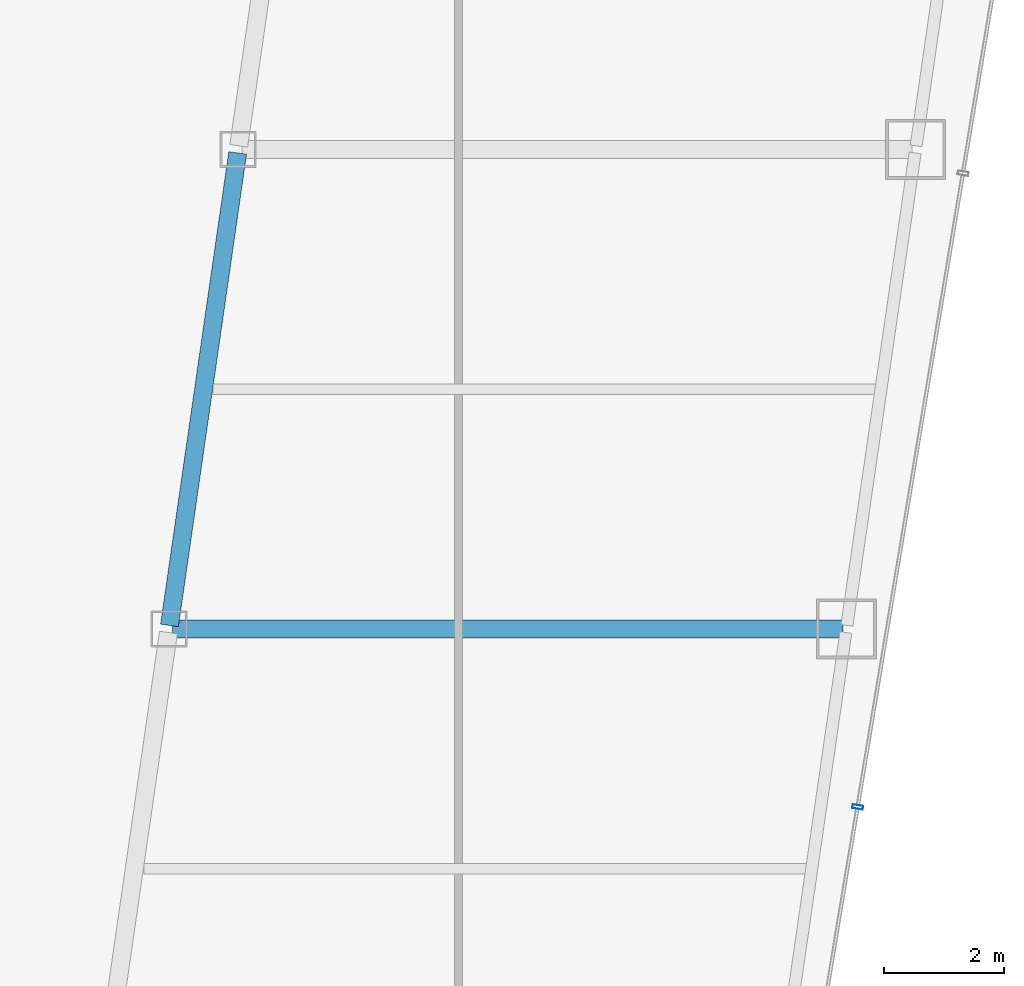
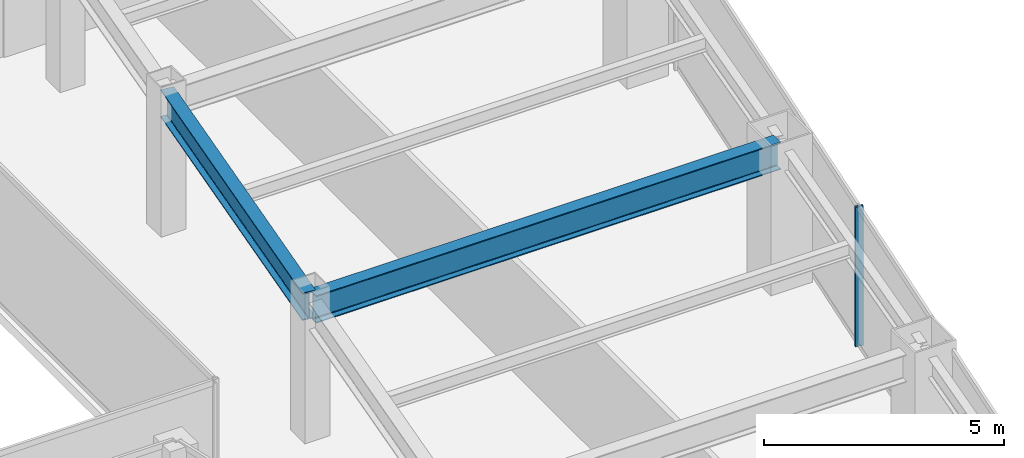
# One storey, part 16 of 37: 2 beams, 1 member, 1 element without a shape of its own.
"""IFC4 building model written with IfcOpenShell, lengths in metres."""

from ifc_helpers import new_model, si_unit, direction, frame, origin, origin_2d, place, context, subcontext, project, spatial, hollow_rectangle, i_section, extrude, material, material_profile, profile_set, type_object, element, aggregate, save


model = new_model("IFC4")

# Units and contexts
model_context = context("Model", 3, precision=1e-05, world=origin(), true_north=direction((0.0, 1.0)))
body_context = subcontext(model_context, "Body", "Model", "MODEL_VIEW")
ifc_project = project(units=[si_unit("LENGTHUNIT", "METRE"), si_unit("AREAUNIT", "SQUARE_METRE"), si_unit("VOLUMEUNIT", "CUBIC_METRE"), si_unit("PLANEANGLEUNIT", "RADIAN"), si_unit("MASSUNIT", "GRAM", prefix="KILO")], contexts=[model_context])

# Site, building, storey
site_placement = place(None, origin())
site = spatial("IfcSite", under=ifc_project, at=site_placement, CompositionType="ELEMENT")
building_placement = place(site_placement, origin())
building = spatial("IfcBuilding", under=site, at=building_placement, Name="Saevonmaru Cultural Tower", CompositionType="ELEMENT")
storey_placement = place(building_placement, frame((0.0, 0.0, 160.0)))
storey = spatial("IfcBuildingStorey", under=building, at=storey_placement, Name="L35", CompositionType="ELEMENT", Elevation=160.0)

# Beams
ifc_material_1 = material(Name="Steel SM355", Category="steel")
ifc_material_profile_1 = material_profile(ifc_material_1, i_section(OverallWidth=0.300048828125, OverallDepth=0.699951171875, WebThickness=0.012939453125, FlangeThickness=0.02392578125, FilletRadius=0.02587890625, at=origin_2d()), Name="H-700x300x13x24")
ifc_profile_set_1 = profile_set([ifc_material_profile_1], Name="Steel SM355")
beam_type = type_object("IfcBeamType", Name="BM-G-H700", PredefinedType="BEAM", material=ifc_profile_set_1)
beam_1_placement = place(storey_placement, frame((39.236572265625, 24.059326171875, 3.199951171875), z_axis=(0.142902032203, 0.989736838353, 0.0), x_axis=(-0.989736838353, 0.142902032203, 0.0)))
element("IfcBeam", 1, at=beam_1_placement, inside=storey, type_object=beam_type, Name="L35 East Atrium Girder 3", PredefinedType="BEAM", context=body_context, shape_type="SweptSolid", body=[
    extrude(i_section(OverallWidth=0.300048828125, OverallDepth=0.699951171875, WebThickness=0.012939453125, FlangeThickness=0.02392578125, FilletRadius=0.02587890625, at=origin_2d()), origin(), (0.0, 0.0, 1.0), 7.963134765625),
])
beam_2_placement = place(storey_placement, frame((39.2880859375, 24.0, 3.199951171875), z_axis=(1.0, 0.0, 0.0), x_axis=(0.0, 1.0, 0.0)))
element("IfcBeam", 2, at=beam_2_placement, inside=storey, type_object=beam_type, Name="L35 East Wing Transverse Girder 3", PredefinedType="BEAM", context=body_context, shape_type="SweptSolid", body=[
    extrude(i_section(OverallWidth=0.300048828125, OverallDepth=0.699951171875, WebThickness=0.012939453125, FlangeThickness=0.02392578125, FilletRadius=0.02587890625, at=origin_2d()), origin(), (0.0, 0.0, 1.0), 11.179931640625),
])

# Curtain wall, member
ifc_material_2 = material(Name="Satin Bronze Anodised Aluminium", Category="aluminium")
curtain_wall_type = type_object("IfcCurtainWallType", Name="CW-TYP-A", PredefinedType="NOTDEFINED", material=ifc_material_2)
curtain_wall_placement = place(storey_placement, origin())
curtain_wall = element("IfcCurtainWall", 3, at=curtain_wall_placement, inside=storey, type_object=curtain_wall_type, Name="L35 Unitised Curtain Wall E8", PredefinedType="NOTDEFINED")
ifc_material_profile_2 = material_profile(ifc_material_2, hollow_rectangle(XDim=0.06494140625, YDim=0.179931640625, WallThickness=0.00390625, at=origin_2d()), Name="ALU-MULL-180x65x4")
ifc_profile_set_2 = profile_set([ifc_material_profile_2], Name="Satin Bronze Anodised Aluminium")
member_type = type_object("IfcMemberType", Name="ML-CW-180x65", PredefinedType="MULLION", material=ifc_profile_set_2)
member_placement = place(storey_placement, frame((50.71826171875, 21.029541015625, 0.0), z_axis=(0.0, 0.0, 1.0), x_axis=(0.163998702345, 0.986460554523, 0.0)))
member = element("IfcMember", 4, at=member_placement, type_object=member_type, Name="CW-TW-L35-E8 mullion 2", PredefinedType="MULLION", context=body_context, shape_type="SweptSolid", body=[
    extrude(hollow_rectangle(XDim=0.06494140625, YDim=0.179931640625, WallThickness=0.00390625, at=origin_2d()), origin(), (0.0, 0.0, 1.0), 3.550048828125),
])
aggregate(curtain_wall, [member])

save(model, "model.ifc")
